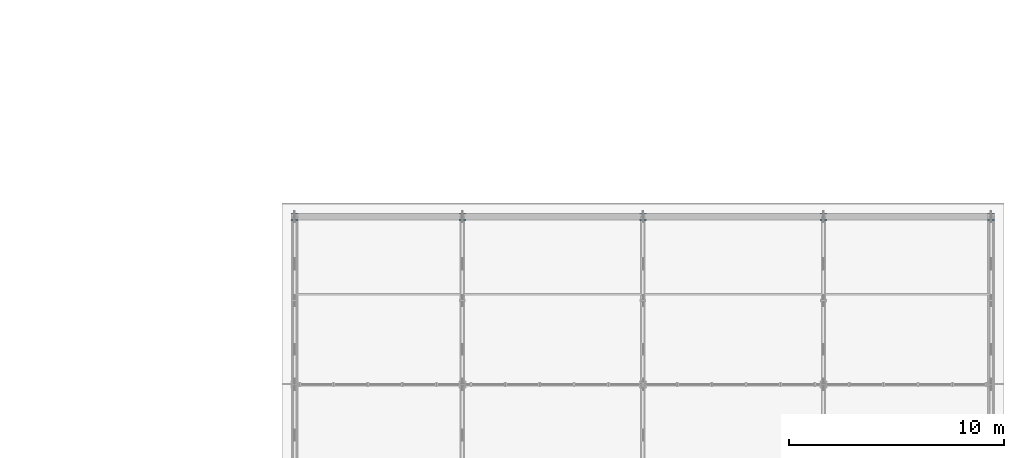
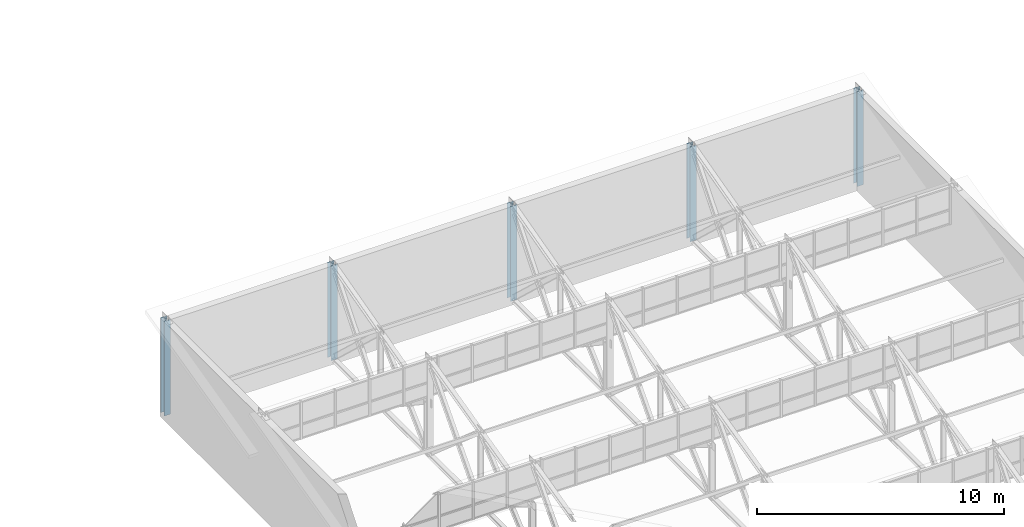
# One storey, part 15 of 123: 5 columns.
"""IFC4 building model written with IfcOpenShell, lengths in metres."""

from ifc_helpers import new_model, si_unit, direction, frame, origin, origin_2d, place, context, subcontext, project, spatial, i_section, extrude, material, material_profile, profile_set, type_object, element, save


model = new_model("IFC4")

# Units and contexts
model_context = context("Model", 3, precision=1e-05, world=origin(), true_north=direction((0.0, 1.0)))
body_context = subcontext(model_context, "Body", "Model", "MODEL_VIEW")
ifc_project = project(units=[si_unit("LENGTHUNIT", "METRE"), si_unit("AREAUNIT", "SQUARE_METRE"), si_unit("VOLUMEUNIT", "CUBIC_METRE"), si_unit("PLANEANGLEUNIT", "RADIAN"), si_unit("MASSUNIT", "GRAM", prefix="KILO")], contexts=[model_context])

# Site, building, storey
site_placement = place(None, origin())
site = spatial("IfcSite", under=ifc_project, at=site_placement, CompositionType="ELEMENT")
building_placement = place(site_placement, origin())
building = spatial("IfcBuilding", under=site, at=building_placement, Name="Zayran Congress Hotel", CompositionType="ELEMENT")
storey_placement = place(building_placement, frame((0.0, 0.0, 15.0)))
storey = spatial("IfcBuildingStorey", under=building, at=storey_placement, Name="L03", CompositionType="ELEMENT", Elevation=15.0)

# Columns
ifc_material = material(Name="Steel S355", Category="steel")
ifc_material_profile = material_profile(ifc_material, i_section(OverallWidth=0.300048828125, OverallDepth=0.300048828125, WebThickness=0.010986328125, FlangeThickness=0.01904296875, at=origin_2d()), Name="HEB 300")
ifc_profile_set = profile_set([ifc_material_profile], Name="Steel S355")
column_type = type_object("IfcColumnType", Name="TP-CL-08", PredefinedType="COLUMN", material=ifc_profile_set)
for number, where, z_axis, x_axis, name in (
    (1, (151.800048828125, 41.800048828125, 0.0), (0.0, 0.0, 1.0), (1.0, 0.0, 0.0), "COL-V3-EAV-1461"),
    (2, (159.60009765625, 41.800048828125, 0.0), (0.0, 0.0, 1.0), (1.0, 0.0, 0.0), "COL-V3-EAV-1465"),
    (3, (168.0, 41.800048828125, 0.0), (0.0, 0.0, 1.0), (1.0, 0.0, 0.0), "COL-V3-EAV-1469"),
    (4, (176.39990234375, 41.800048828125, 0.0), (0.0, 0.0, 1.0), (1.0, 0.0, 0.0), "COL-V3-EAV-1473"),
    (5, (184.199951171875, 41.800048828125, 0.0), (0.0, 0.0, 1.0), (1.0, 0.0, 0.0), "COL-V3-EAV-1477"),
):
    element("IfcColumn", number, at=place(storey_placement, frame(where, z_axis=z_axis, x_axis=x_axis)), inside=storey, type_object=column_type, Name=name, PredefinedType="COLUMN", context=body_context, shape_type="SweptSolid", body=[
        extrude(i_section(OverallWidth=0.300048828125, OverallDepth=0.300048828125, WebThickness=0.010986328125, FlangeThickness=0.01904296875, at=origin_2d()), origin(), (0.0, 0.0, 1.0), 4.6943359375),
    ])

save(model, "model.ifc")
